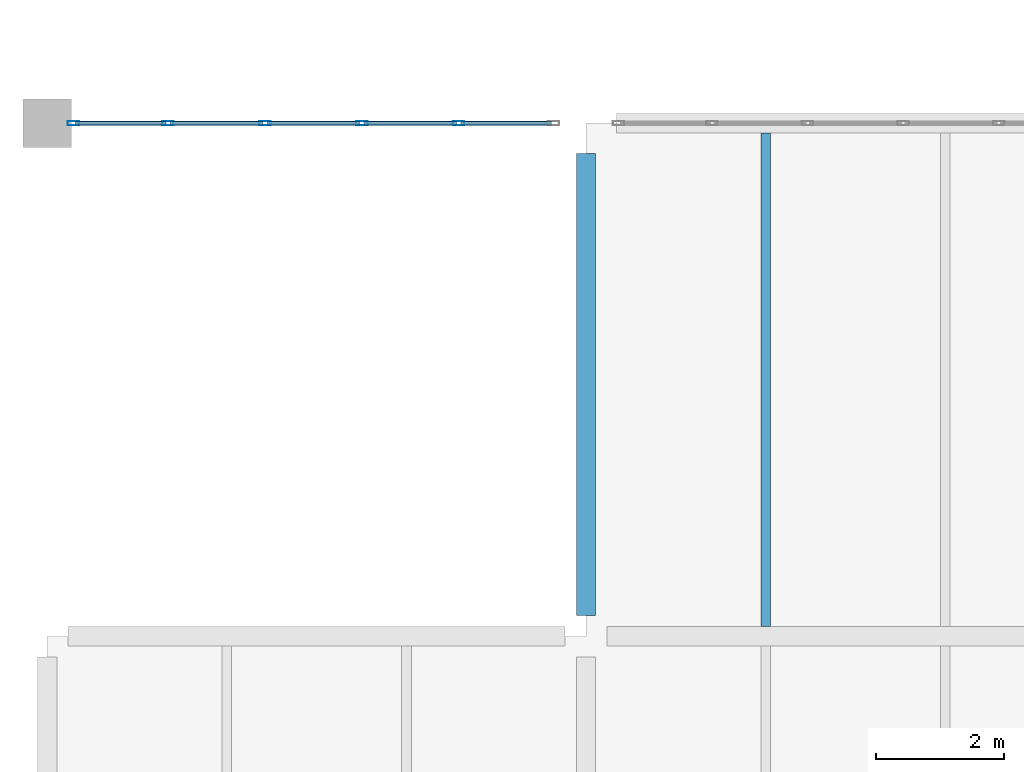
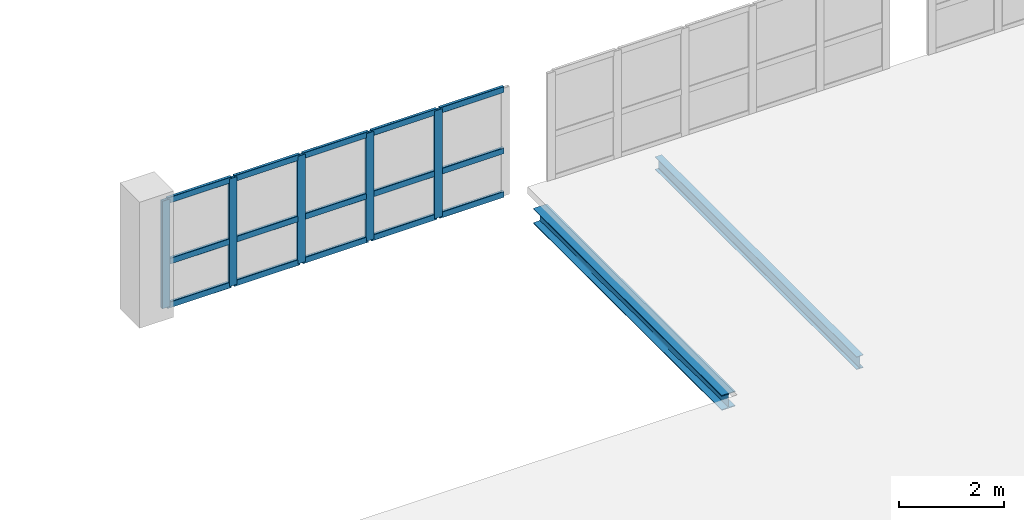
# One storey, part 9 of 177: 20 members, 2 beams, 1 element without a shape of its own.
"""IFC4 building model written with IfcOpenShell, lengths in metres."""

from ifc_helpers import new_model, si_unit, direction, frame, origin, origin_2d, place, context, subcontext, project, spatial, hollow_rectangle, i_section, extrude, material, layer, layer_set, material_profile, profile_set, type_object, element, aggregate, save


model = new_model("IFC4")

# Units and contexts
model_context = context("Model", 3, precision=1e-05, world=origin(), true_north=direction((0.0, 1.0)))
body_context = subcontext(model_context, "Body", "Model", "MODEL_VIEW")
ifc_project = project(units=[si_unit("LENGTHUNIT", "METRE"), si_unit("AREAUNIT", "SQUARE_METRE"), si_unit("VOLUMEUNIT", "CUBIC_METRE"), si_unit("PLANEANGLEUNIT", "RADIAN"), si_unit("MASSUNIT", "GRAM", prefix="KILO"), si_unit("THERMODYNAMICTEMPERATUREUNIT", "KELVIN"), si_unit("POWERUNIT", "WATT")], contexts=[model_context])

# Site, building, storey
site_placement = place(None, origin())
site = spatial("IfcSite", under=ifc_project, at=site_placement, CompositionType="ELEMENT")
building_placement = place(site_placement, origin())
building = spatial("IfcBuilding", under=site, at=building_placement, Name="Mavoryth Pier Ferry Terminal", CompositionType="ELEMENT")
storey_placement = place(building_placement, frame((0.0, 0.0, 5.43994140625)))
storey = spatial("IfcBuildingStorey", under=building, at=storey_placement, Name="L01", CompositionType="ELEMENT", Elevation=5.43994140625)

# Beam
ifc_material_1 = material(Name="Steel S355J2", Category="steel")
ifc_material_profile_1 = material_profile(ifc_material_1, i_section(OverallWidth=0.14990234375, OverallDepth=0.300048828125, WebThickness=0.007080078125, FlangeThickness=0.0107421875, FilletRadius=0.014892578125, at=origin_2d()), Name="IPE 300", Category="steel")
ifc_profile_set_1 = profile_set([ifc_material_profile_1], Name="Steel S355J2 - IPE 300")
beam_type_1 = type_object("IfcBeamType", Name="Joist-Steel-IPE300", PredefinedType="JOIST", material=ifc_profile_set_1)
beam_1_placement = place(storey_placement, frame((11.199951171875, 14.14990234375, -0.31005859375), z_axis=(0.0, 1.0, 0.0), x_axis=(-1.0, 0.0, 0.0)))
element("IfcBeam", 1, at=beam_1_placement, inside=storey, type_object=beam_type_1, Name="Beam B01-SJ04-0044", PredefinedType="JOIST", context=body_context, shape_type="SweptSolid", body=[
    extrude(i_section(OverallWidth=0.14990234375, OverallDepth=0.300048828125, WebThickness=0.007080078125, FlangeThickness=0.0107421875, FilletRadius=0.014892578125, at=origin_2d()), origin(), (0.0, 0.0, 1.0), 7.7001953125),
])

# Curtain wall, members
ifc_material_2 = material(Name="Anodised Aluminium and Solar-Control Low-E Glass", Category="aluminium")
ifc_layer = layer(ifc_material_2, 0.179931640625, Name="Anodised Aluminium and Solar-Control Low-E Glass", Category="aluminium")
ifc_layer_set = layer_set([ifc_layer], Name="Anodised Aluminium and Solar-Control Low-E Glass - CW-Concourse-Mod1400")
curtain_wall_type = type_object("IfcCurtainWallType", Name="CW-Concourse-Mod1400", PredefinedType="USERDEFINED", material=ifc_layer_set)
curtain_wall_placement = place(storey_placement, origin())
curtain_wall = element("IfcCurtainWall", 2, at=curtain_wall_placement, inside=storey, type_object=curtain_wall_type, Name="Curtain Wall CW-0133-038", ObjectType="UNITISED CURTAIN WALL", PredefinedType="USERDEFINED")
ifc_material_3 = material(Name="Anodised Aluminium EN AW-6063", Category="aluminium")
ifc_material_profile_2 = material_profile(ifc_material_3, hollow_rectangle(XDim=0.06494140625, YDim=0.179931640625, WallThickness=0.00390625, InnerFilletRadius=0.00390625, OuterFilletRadius=0.008056640625, at=origin_2d()), Name="AL-MULL 180x65x4", Category="aluminium")
ifc_profile_set_2 = profile_set([ifc_material_profile_2], Name="Anodised Aluminium EN AW-6063 - AL-MULL 180x65x4")
member_type_1 = type_object("IfcMemberType", Name="Mullion-Alum-180x65", PredefinedType="MULLION", material=ifc_profile_set_2)
member_1_placement = place(storey_placement, frame((0.407470703125, 22.0, 0.0), z_axis=(0.0, 0.0, 1.0), x_axis=(0.0, 1.0, 0.0)))
member_1 = element("IfcMember", 3, at=member_1_placement, type_object=member_type_1, Name="CW01 mullion 1", PredefinedType="MULLION", context=body_context, shape_type="SweptSolid", body=[
    extrude(hollow_rectangle(XDim=0.06494140625, YDim=0.179931640625, WallThickness=0.00390625, InnerFilletRadius=0.00390625, OuterFilletRadius=0.008056640625, at=origin_2d()), origin(), (0.0, 0.0, 1.0), 2.510009765625),
])
member_2_placement = place(storey_placement, frame((1.885009765625, 22.0, 0.0), z_axis=(0.0, 0.0, 1.0), x_axis=(0.0, 1.0, 0.0)))
member_2 = element("IfcMember", 4, at=member_2_placement, type_object=member_type_1, Name="CW01 mullion 2", PredefinedType="MULLION", context=body_context, shape_type="SweptSolid", body=[
    extrude(hollow_rectangle(XDim=0.06494140625, YDim=0.179931640625, WallThickness=0.00390625, InnerFilletRadius=0.00390625, OuterFilletRadius=0.008056640625, at=origin_2d()), origin(), (0.0, 0.0, 1.0), 2.510009765625),
])
member_3_placement = place(storey_placement, frame((3.39501953125, 22.0, 0.0), z_axis=(0.0, 0.0, 1.0), x_axis=(0.0, 1.0, 0.0)))
member_3 = element("IfcMember", 5, at=member_3_placement, type_object=member_type_1, Name="CW01 mullion 3", PredefinedType="MULLION", context=body_context, shape_type="SweptSolid", body=[
    extrude(hollow_rectangle(XDim=0.06494140625, YDim=0.179931640625, WallThickness=0.00390625, InnerFilletRadius=0.00390625, OuterFilletRadius=0.008056640625, at=origin_2d()), origin(), (0.0, 0.0, 1.0), 2.510009765625),
])
member_4_placement = place(storey_placement, frame((4.905029296875, 22.0, 0.0), z_axis=(0.0, 0.0, 1.0), x_axis=(0.0, 1.0, 0.0)))
member_4 = element("IfcMember", 6, at=member_4_placement, type_object=member_type_1, Name="CW01 mullion 4", PredefinedType="MULLION", context=body_context, shape_type="SweptSolid", body=[
    extrude(hollow_rectangle(XDim=0.06494140625, YDim=0.179931640625, WallThickness=0.00390625, InnerFilletRadius=0.00390625, OuterFilletRadius=0.008056640625, at=origin_2d()), origin(), (0.0, 0.0, 1.0), 2.510009765625),
])
member_5_placement = place(storey_placement, frame((6.4150390625, 22.0, 0.0), z_axis=(0.0, 0.0, 1.0), x_axis=(0.0, 1.0, 0.0)))
member_5 = element("IfcMember", 7, at=member_5_placement, type_object=member_type_1, Name="CW01 mullion 5", PredefinedType="MULLION", context=body_context, shape_type="SweptSolid", body=[
    extrude(hollow_rectangle(XDim=0.06494140625, YDim=0.179931640625, WallThickness=0.00390625, InnerFilletRadius=0.00390625, OuterFilletRadius=0.008056640625, at=origin_2d()), origin(), (0.0, 0.0, 1.0), 2.510009765625),
])

# Beam
ifc_material_profile_3 = material_profile(ifc_material_1, i_section(OverallWidth=0.300048828125, OverallDepth=0.35009765625, WebThickness=0.010009765625, FlangeThickness=0.017578125, FilletRadius=0.027099609375, at=origin_2d()), Name="HEA 360", Category="steel")
ifc_profile_set_3 = profile_set([ifc_material_profile_3], Name="Steel S355J2 - HEA 360")
beam_type_2 = type_object("IfcBeamType", Name="Spandrel-Steel-HEA360", PredefinedType="SPANDREL", material=ifc_profile_set_3)
beam_2_placement = place(storey_placement, frame((8.39990234375, 14.324951171875, -0.3349609375), z_axis=(0.0, 1.0, 0.0), x_axis=(-1.0, 0.0, 0.0)))
element("IfcBeam", 8, at=beam_2_placement, inside=storey, type_object=beam_type_2, Name="Beam B01-SP03-0041", PredefinedType="SPANDREL", context=body_context, shape_type="SweptSolid", body=[
    extrude(i_section(OverallWidth=0.300048828125, OverallDepth=0.35009765625, WebThickness=0.010009765625, FlangeThickness=0.017578125, FilletRadius=0.027099609375, at=origin_2d()), origin(), (0.0, 0.0, 1.0), 7.199951171875),
])

# Member
ifc_material_profile_4 = material_profile(ifc_material_3, hollow_rectangle(XDim=0.06494140625, YDim=0.139892578125, WallThickness=0.00390625, InnerFilletRadius=0.00390625, OuterFilletRadius=0.008056640625, at=origin_2d()), Name="AL-TRAN 140x65x4", Category="aluminium")
ifc_profile_set_4 = profile_set([ifc_material_profile_4], Name="Anodised Aluminium EN AW-6063 - AL-TRAN 140x65x4")
member_type_2 = type_object("IfcMemberType", Name="Transom-Alum-140x65", PredefinedType="USERDEFINED", material=ifc_profile_set_4)
member_6_placement = place(storey_placement, frame((0.43994140625, 22.0, 0.032470703125), z_axis=(1.0, 0.0, 0.0), x_axis=(0.0, 1.0, 0.0)))
member_6 = element("IfcMember", 9, at=member_6_placement, type_object=member_type_2, Name="CW01 transom 1.1", ObjectType="TRANSOM", PredefinedType="USERDEFINED", context=body_context, shape_type="SweptSolid", body=[
    extrude(hollow_rectangle(XDim=0.06494140625, YDim=0.139892578125, WallThickness=0.00390625, InnerFilletRadius=0.00390625, OuterFilletRadius=0.008056640625, at=origin_2d()), origin(), (0.0, 0.0, 1.0), 1.41259765625),
])

member_7_placement = place(storey_placement, frame((0.43994140625, 22.0, 1.050048828125), z_axis=(1.0, 0.0, 0.0), x_axis=(0.0, 1.0, 0.0)))
member_7 = element("IfcMember", 10, at=member_7_placement, type_object=member_type_2, Name="CW01 transom 1.2", ObjectType="TRANSOM", PredefinedType="USERDEFINED", context=body_context, shape_type="SweptSolid", body=[
    extrude(hollow_rectangle(XDim=0.06494140625, YDim=0.139892578125, WallThickness=0.00390625, InnerFilletRadius=0.00390625, OuterFilletRadius=0.008056640625, at=origin_2d()), origin(), (0.0, 0.0, 1.0), 1.41259765625),
])

member_8_placement = place(storey_placement, frame((0.43994140625, 22.0, 2.4775390625), z_axis=(1.0, 0.0, 0.0), x_axis=(0.0, 1.0, 0.0)))
member_8 = element("IfcMember", 11, at=member_8_placement, type_object=member_type_2, Name="CW01 transom 1.3", ObjectType="TRANSOM", PredefinedType="USERDEFINED", context=body_context, shape_type="SweptSolid", body=[
    extrude(hollow_rectangle(XDim=0.06494140625, YDim=0.139892578125, WallThickness=0.00390625, InnerFilletRadius=0.00390625, OuterFilletRadius=0.008056640625, at=origin_2d()), origin(), (0.0, 0.0, 1.0), 1.41259765625),
])

member_9_placement = place(storey_placement, frame((1.91748046875, 22.0, 0.032470703125), z_axis=(1.0, 0.0, 0.0), x_axis=(0.0, 1.0, 0.0)))
member_9 = element("IfcMember", 12, at=member_9_placement, type_object=member_type_2, Name="CW01 transom 2.1", ObjectType="TRANSOM", PredefinedType="USERDEFINED", context=body_context, shape_type="SweptSolid", body=[
    extrude(hollow_rectangle(XDim=0.06494140625, YDim=0.139892578125, WallThickness=0.00390625, InnerFilletRadius=0.00390625, OuterFilletRadius=0.008056640625, at=origin_2d()), origin(), (0.0, 0.0, 1.0), 1.445068359375),
])

member_10_placement = place(storey_placement, frame((1.91748046875, 22.0, 1.050048828125), z_axis=(1.0, 0.0, 0.0), x_axis=(0.0, 1.0, 0.0)))
member_10 = element("IfcMember", 13, at=member_10_placement, type_object=member_type_2, Name="CW01 transom 2.2", ObjectType="TRANSOM", PredefinedType="USERDEFINED", context=body_context, shape_type="SweptSolid", body=[
    extrude(hollow_rectangle(XDim=0.06494140625, YDim=0.139892578125, WallThickness=0.00390625, InnerFilletRadius=0.00390625, OuterFilletRadius=0.008056640625, at=origin_2d()), origin(), (0.0, 0.0, 1.0), 1.445068359375),
])

member_11_placement = place(storey_placement, frame((1.91748046875, 22.0, 2.4775390625), z_axis=(1.0, 0.0, 0.0), x_axis=(0.0, 1.0, 0.0)))
member_11 = element("IfcMember", 14, at=member_11_placement, type_object=member_type_2, Name="CW01 transom 2.3", ObjectType="TRANSOM", PredefinedType="USERDEFINED", context=body_context, shape_type="SweptSolid", body=[
    extrude(hollow_rectangle(XDim=0.06494140625, YDim=0.139892578125, WallThickness=0.00390625, InnerFilletRadius=0.00390625, OuterFilletRadius=0.008056640625, at=origin_2d()), origin(), (0.0, 0.0, 1.0), 1.445068359375),
])

member_12_placement = place(storey_placement, frame((3.427490234375, 22.0, 0.032470703125), z_axis=(1.0, 0.0, 0.0), x_axis=(0.0, 1.0, 0.0)))
member_12 = element("IfcMember", 15, at=member_12_placement, type_object=member_type_2, Name="CW01 transom 3.1", ObjectType="TRANSOM", PredefinedType="USERDEFINED", context=body_context, shape_type="SweptSolid", body=[
    extrude(hollow_rectangle(XDim=0.06494140625, YDim=0.139892578125, WallThickness=0.00390625, InnerFilletRadius=0.00390625, OuterFilletRadius=0.008056640625, at=origin_2d()), origin(), (0.0, 0.0, 1.0), 1.445068359375),
])

member_13_placement = place(storey_placement, frame((3.427490234375, 22.0, 1.050048828125), z_axis=(1.0, 0.0, 0.0), x_axis=(0.0, 1.0, 0.0)))
member_13 = element("IfcMember", 16, at=member_13_placement, type_object=member_type_2, Name="CW01 transom 3.2", ObjectType="TRANSOM", PredefinedType="USERDEFINED", context=body_context, shape_type="SweptSolid", body=[
    extrude(hollow_rectangle(XDim=0.06494140625, YDim=0.139892578125, WallThickness=0.00390625, InnerFilletRadius=0.00390625, OuterFilletRadius=0.008056640625, at=origin_2d()), origin(), (0.0, 0.0, 1.0), 1.445068359375),
])

member_14_placement = place(storey_placement, frame((3.427490234375, 22.0, 2.4775390625), z_axis=(1.0, 0.0, 0.0), x_axis=(0.0, 1.0, 0.0)))
member_14 = element("IfcMember", 17, at=member_14_placement, type_object=member_type_2, Name="CW01 transom 3.3", ObjectType="TRANSOM", PredefinedType="USERDEFINED", context=body_context, shape_type="SweptSolid", body=[
    extrude(hollow_rectangle(XDim=0.06494140625, YDim=0.139892578125, WallThickness=0.00390625, InnerFilletRadius=0.00390625, OuterFilletRadius=0.008056640625, at=origin_2d()), origin(), (0.0, 0.0, 1.0), 1.445068359375),
])

member_15_placement = place(storey_placement, frame((4.9375, 22.0, 0.032470703125), z_axis=(1.0, 0.0, 0.0), x_axis=(0.0, 1.0, 0.0)))
member_15 = element("IfcMember", 18, at=member_15_placement, type_object=member_type_2, Name="CW01 transom 4.1", ObjectType="TRANSOM", PredefinedType="USERDEFINED", context=body_context, shape_type="SweptSolid", body=[
    extrude(hollow_rectangle(XDim=0.06494140625, YDim=0.139892578125, WallThickness=0.00390625, InnerFilletRadius=0.00390625, OuterFilletRadius=0.008056640625, at=origin_2d()), origin(), (0.0, 0.0, 1.0), 1.445068359375),
])

member_16_placement = place(storey_placement, frame((4.9375, 22.0, 1.050048828125), z_axis=(1.0, 0.0, 0.0), x_axis=(0.0, 1.0, 0.0)))
member_16 = element("IfcMember", 19, at=member_16_placement, type_object=member_type_2, Name="CW01 transom 4.2", ObjectType="TRANSOM", PredefinedType="USERDEFINED", context=body_context, shape_type="SweptSolid", body=[
    extrude(hollow_rectangle(XDim=0.06494140625, YDim=0.139892578125, WallThickness=0.00390625, InnerFilletRadius=0.00390625, OuterFilletRadius=0.008056640625, at=origin_2d()), origin(), (0.0, 0.0, 1.0), 1.445068359375),
])

member_17_placement = place(storey_placement, frame((4.9375, 22.0, 2.4775390625), z_axis=(1.0, 0.0, 0.0), x_axis=(0.0, 1.0, 0.0)))
member_17 = element("IfcMember", 20, at=member_17_placement, type_object=member_type_2, Name="CW01 transom 4.3", ObjectType="TRANSOM", PredefinedType="USERDEFINED", context=body_context, shape_type="SweptSolid", body=[
    extrude(hollow_rectangle(XDim=0.06494140625, YDim=0.139892578125, WallThickness=0.00390625, InnerFilletRadius=0.00390625, OuterFilletRadius=0.008056640625, at=origin_2d()), origin(), (0.0, 0.0, 1.0), 1.445068359375),
])

member_18_placement = place(storey_placement, frame((6.447509765625, 22.0, 0.032470703125), z_axis=(1.0, 0.0, 0.0), x_axis=(0.0, 1.0, 0.0)))
member_18 = element("IfcMember", 21, at=member_18_placement, type_object=member_type_2, Name="CW01 transom 5.1", ObjectType="TRANSOM", PredefinedType="USERDEFINED", context=body_context, shape_type="SweptSolid", body=[
    extrude(hollow_rectangle(XDim=0.06494140625, YDim=0.139892578125, WallThickness=0.00390625, InnerFilletRadius=0.00390625, OuterFilletRadius=0.008056640625, at=origin_2d()), origin(), (0.0, 0.0, 1.0), 1.41259765625),
])

member_19_placement = place(storey_placement, frame((6.447509765625, 22.0, 1.050048828125), z_axis=(1.0, 0.0, 0.0), x_axis=(0.0, 1.0, 0.0)))
member_19 = element("IfcMember", 22, at=member_19_placement, type_object=member_type_2, Name="CW01 transom 5.2", ObjectType="TRANSOM", PredefinedType="USERDEFINED", context=body_context, shape_type="SweptSolid", body=[
    extrude(hollow_rectangle(XDim=0.06494140625, YDim=0.139892578125, WallThickness=0.00390625, InnerFilletRadius=0.00390625, OuterFilletRadius=0.008056640625, at=origin_2d()), origin(), (0.0, 0.0, 1.0), 1.41259765625),
])

member_20_placement = place(storey_placement, frame((6.447509765625, 22.0, 2.4775390625), z_axis=(1.0, 0.0, 0.0), x_axis=(0.0, 1.0, 0.0)))
member_20 = element("IfcMember", 23, at=member_20_placement, type_object=member_type_2, Name="CW01 transom 5.3", ObjectType="TRANSOM", PredefinedType="USERDEFINED", context=body_context, shape_type="SweptSolid", body=[
    extrude(hollow_rectangle(XDim=0.06494140625, YDim=0.139892578125, WallThickness=0.00390625, InnerFilletRadius=0.00390625, OuterFilletRadius=0.008056640625, at=origin_2d()), origin(), (0.0, 0.0, 1.0), 1.41259765625),
])

aggregate(curtain_wall, [member_1, member_2, member_3, member_4, member_5, member_6, member_7, member_8, member_9, member_10, member_11, member_12, member_13, member_14, member_15, member_16, member_17, member_18, member_19, member_20])

save(model, "model.ifc")
